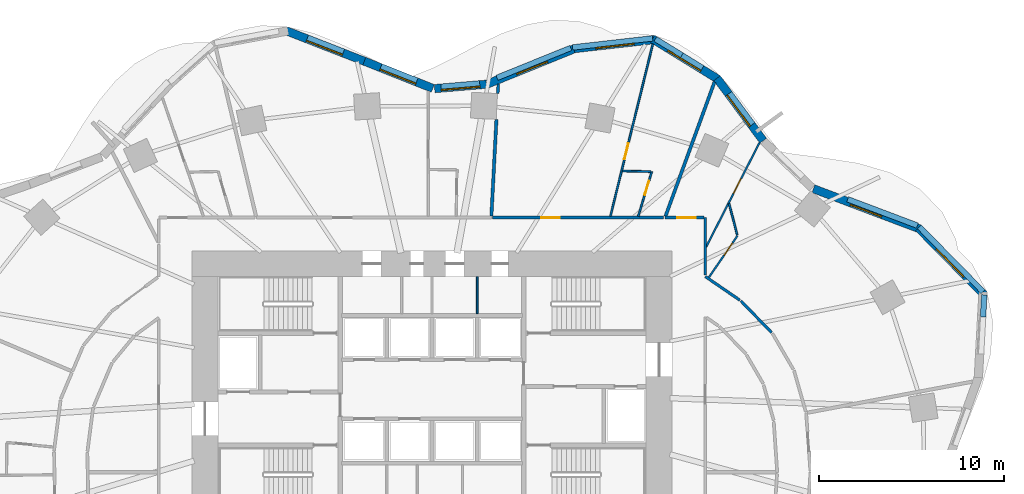
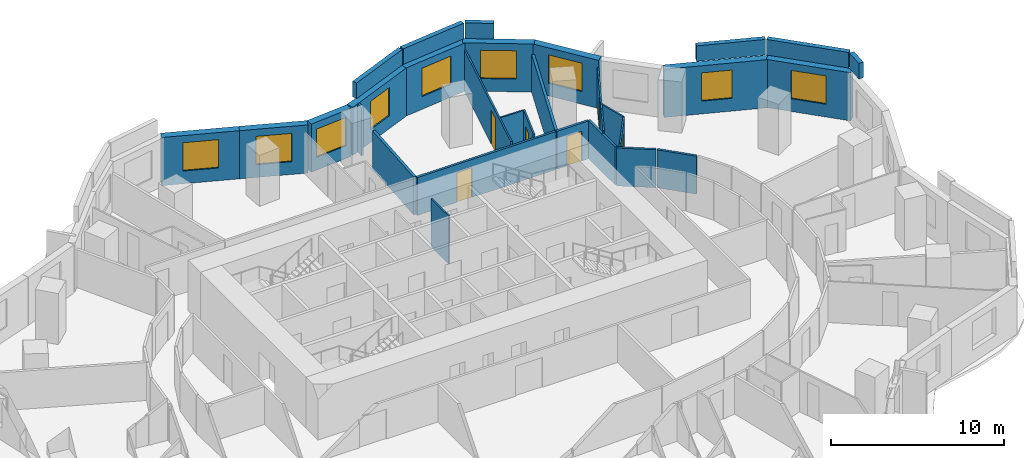
# One storey, part 9 of 11: 30 walls, 9 windows, 6 doors, 15 openings.
"""IFC4 building model written with IfcOpenShell, lengths in metres."""

from ifc_helpers import new_model, si_unit, direction, frame, frame_2d, origin, place, context, subcontext, project, spatial, rectangle, extrude, material, layer, layer_set, type_object, element, fill, save


model = new_model("IFC4")

# Units and contexts
model_context = context("Model", 3, precision=1e-05, world=origin(), true_north=direction((0.0, 1.0)))
body_context = subcontext(model_context, "Body", "Model", "MODEL_VIEW")
ifc_project = project(units=[si_unit("LENGTHUNIT", "METRE"), si_unit("AREAUNIT", "SQUARE_METRE"), si_unit("VOLUMEUNIT", "CUBIC_METRE"), si_unit("PLANEANGLEUNIT", "RADIAN"), si_unit("MASSUNIT", "GRAM", prefix="KILO")], contexts=[model_context])

# Site, building, storey
site_placement = place(None, origin())
site = spatial("IfcSite", under=ifc_project, at=site_placement, CompositionType="ELEMENT")
building_placement = place(site_placement, origin())
building = spatial("IfcBuilding", under=site, at=building_placement, Name="Rubra Terraces Tower", CompositionType="ELEMENT")
storey_placement = place(building_placement, frame((0.0, 0.0, 69.89990234375)))
storey = spatial("IfcBuildingStorey", under=building, at=storey_placement, Name="L15", CompositionType="ELEMENT", Elevation=69.89990234375)

# Walls
ifc_material_1 = material(Name="Twin plasterboard on staggered steel stud, acoustic mineral wool", Category="steel")
ifc_layer_1 = layer(ifc_material_1, 0.175048828125)
ifc_layer_set_1 = layer_set([ifc_layer_1], Name="Twin plasterboard on staggered steel stud, acoustic mineral wool")
wall_type_1 = type_object("IfcWallType", Name="ACOUSTIC PARTY WALL 175", PredefinedType="PARTITIONING", material=ifc_layer_set_1)
wall_1_placement = place(storey_placement, frame((3.486083984375, 19.10302734375, 0.0), z_axis=(0.0, 0.0, 1.0), x_axis=(-0.052091317725, -0.998642325669, 0.0)))
element("IfcWall", 1, at=wall_1_placement, inside=storey, type_object=wall_type_1, Name="PARTITION", PredefinedType="PARTITIONING", context=body_context, shape_type="SweptSolid", body=[
    extrude(rectangle(XDim=5.235107421875, YDim=0.175048828125, at=frame_2d((2.61767578125, 0.0))), origin(), (0.0, 0.0, 1.0), 2.68017578125),
])
wall_2_placement = place(storey_placement, frame((15.298583984375, 21.142822265625, 0.0), z_axis=(0.0, 0.0, 1.0), x_axis=(-0.343006226001, -0.939333129898, 0.0)))
element("IfcWall", 2, at=wall_2_placement, inside=storey, type_object=wall_type_1, Name="PARTITION", PredefinedType="PARTITIONING", context=body_context, shape_type="SweptSolid", body=[
    extrude(rectangle(XDim=7.741943359375, YDim=0.175048828125, at=frame_2d((3.87109375, 0.0))), origin(), (0.0, 0.0, 1.0), 2.68017578125),
])

# Wall, opening, window
ifc_material_2 = material(Name="Brick masonry red-brown", Category="masonry")
ifc_layer_2 = layer(ifc_material_2, 0.449951171875)
ifc_layer_set_2 = layer_set([ifc_layer_2], Name="Brick masonry red-brown")
wall_type_2 = type_object("IfcWallType", Name="Brick facade wall 450", PredefinedType="SOLIDWALL", material=ifc_layer_set_2)
wall_3_placement = place(storey_placement, frame((29.909423828125, 9.6123046875, 0.0), z_axis=(0.0, 0.0, 1.0), x_axis=(-0.700902433902, 0.713257161303, 0.0)))
wall_3 = element("IfcWall", 3, at=wall_3_placement, inside=storey, type_object=wall_type_2, Name="Facade wall L15 bay 3", PredefinedType="SOLIDWALL", context=body_context, shape_type="SweptSolid", body=[
    extrude(rectangle(XDim=5.07861328125, YDim=0.449951171875, at=frame_2d((2.539306640625, 0.0))), origin(), (0.0, 0.0, 1.0), 3.400146484375),
])
opening_1_placement = place(wall_3_placement, frame((1.4892578125, 0.0, 0.89990234375)))
opening_1 = element("IfcOpeningElement", 4, at=opening_1_placement, cuts=wall_3, Name="Opening W1", PredefinedType="OPENING", context=body_context, shape_type="SweptSolid", body=[
    extrude(rectangle(XDim=2.10009765625, YDim=2.0, at=frame_2d((1.050048828125, 1.0))), frame((0.0, 0.23486328125, 0.0), z_axis=(0.0, -1.0, 0.0), x_axis=(1.0, 0.0, 0.0)), (0.0, 0.0, 1.0), 0.469970703125),
])
ifc_material_3 = material(Name="Clear glass in aluminium frame", Category="aluminium")
window_type_1 = type_object("IfcWindowType", Name="Fixed deep-set window 2100 x 2000", PartitioningType="SINGLE_PANEL", PredefinedType="WINDOW", material=ifc_material_3)
window_1_placement = place(opening_1_placement, origin())
window_1 = element("IfcWindow", 5, at=window_1_placement, inside=storey, type_object=window_type_1, Name="Window L15 bay 3", OverallHeight=2.0, OverallWidth=2.10009765625, PartitioningType="SINGLE_PANEL", PredefinedType="WINDOW", context=body_context, shape_type="SweptSolid", body=[
    extrude(rectangle(XDim=2.10009765625, YDim=2.0, at=frame_2d((1.050048828125, 1.0))), frame((0.0, 0.135009765625, 0.0), z_axis=(0.0, -1.0, 0.0), x_axis=(1.0, 0.0, 0.0)), (0.0, 0.0, 1.0), 0.06005859375),
])
fill(opening_1, window_1)

wall_4_placement = place(storey_placement, frame((26.430908203125, 13.181884765625, 0.0), z_axis=(0.0, 0.0, 1.0), x_axis=(-0.935540074321, 0.35322056755, 0.0)))
wall_4 = element("IfcWall", 6, at=wall_4_placement, inside=storey, type_object=wall_type_2, Name="Facade wall L15 bay 4", PredefinedType="SOLIDWALL", context=body_context, shape_type="SweptSolid", body=[
    extrude(rectangle(XDim=6.17236328125, YDim=0.449951171875, at=frame_2d((3.086181640625, 0.0))), origin(), (0.0, 0.0, 1.0), 3.400146484375),
])
opening_2_placement = place(wall_4_placement, frame((2.18603515625, 0.0, 0.89990234375)))
opening_2 = element("IfcOpeningElement", 7, at=opening_2_placement, cuts=wall_4, Name="Opening W6", PredefinedType="OPENING", context=body_context, shape_type="SweptSolid", body=[
    extrude(rectangle(XDim=1.800048828125, YDim=2.0, at=frame_2d((0.89990234375, 1.0))), frame((0.0, 0.23486328125, 0.0), z_axis=(0.0, -1.0, 0.0), x_axis=(1.0, 0.0, 0.0)), (0.0, 0.0, 1.0), 0.469970703125),
])
window_type_2 = type_object("IfcWindowType", Name="Fixed deep-set window at wind fin 1800 x 2000", PartitioningType="SINGLE_PANEL", PredefinedType="WINDOW", material=ifc_material_3)
window_2_placement = place(opening_2_placement, origin())
window_2 = element("IfcWindow", 8, at=window_2_placement, inside=storey, type_object=window_type_2, Name="Window L15 bay 4", OverallHeight=2.0, OverallWidth=1.800048828125, PartitioningType="SINGLE_PANEL", PredefinedType="WINDOW", context=body_context, shape_type="SweptSolid", body=[
    extrude(rectangle(XDim=1.800048828125, YDim=2.0, at=frame_2d((0.89990234375, 1.0))), frame((0.0, 0.135009765625, 0.0), z_axis=(0.0, -1.0, 0.0), x_axis=(1.0, 0.0, 0.0)), (0.0, 0.0, 1.0), 0.06005859375),
])
fill(opening_2, window_2)

wall_5_placement = place(storey_placement, frame((17.933837890625, 17.964111328125, 0.0), z_axis=(0.0, 0.0, 1.0), x_axis=(-0.594544447368, 0.804062746372, 0.0)))
wall_5 = element("IfcWall", 9, at=wall_5_placement, inside=storey, type_object=wall_type_2, Name="Facade wall L15 bay 6", PredefinedType="SOLIDWALL", context=body_context, shape_type="SweptSolid", body=[
    extrude(rectangle(XDim=4.20654296875, YDim=0.449951171875, at=frame_2d((2.103271484375, 0.0))), origin(), (0.0, 0.0, 1.0), 3.400146484375),
])
opening_3_placement = place(wall_5_placement, frame((1.05322265625, 0.0, 0.89990234375)))
opening_3 = element("IfcOpeningElement", 10, at=opening_3_placement, cuts=wall_5, Name="Opening W1", PredefinedType="OPENING", context=body_context, shape_type="SweptSolid", body=[
    extrude(rectangle(XDim=2.10009765625, YDim=2.0, at=frame_2d((1.050048828125, 1.0))), frame((0.0, 0.23486328125, 0.0), z_axis=(0.0, -1.0, 0.0), x_axis=(1.0, 0.0, 0.0)), (0.0, 0.0, 1.0), 0.469970703125),
])
window_3_placement = place(opening_3_placement, origin())
window_3 = element("IfcWindow", 11, at=window_3_placement, inside=storey, type_object=window_type_1, Name="Window L15 bay 6", OverallHeight=2.0, OverallWidth=2.10009765625, PartitioningType="SINGLE_PANEL", PredefinedType="WINDOW", context=body_context, shape_type="SweptSolid", body=[
    extrude(rectangle(XDim=2.10009765625, YDim=2.0, at=frame_2d((1.050048828125, 1.0))), frame((0.0, 0.135009765625, 0.0), z_axis=(0.0, -1.0, 0.0), x_axis=(1.0, 0.0, 0.0)), (0.0, 0.0, 1.0), 0.06005859375),
])
fill(opening_3, window_3)

wall_6_placement = place(storey_placement, frame((15.491943359375, 21.29345703125, 0.0), z_axis=(0.0, 0.0, 1.0), x_axis=(-0.851428967753, 0.524469935145, 0.0)))
wall_6 = element("IfcWall", 12, at=wall_6_placement, inside=storey, type_object=wall_type_2, Name="Facade wall L15 bay 7", PredefinedType="SOLIDWALL", context=body_context, shape_type="SweptSolid", body=[
    extrude(rectangle(XDim=4.16796875, YDim=0.449951171875, at=frame_2d((2.083984375, 0.0))), origin(), (0.0, 0.0, 1.0), 3.400146484375),
])
opening_4_placement = place(wall_6_placement, frame((1.0341796875, 0.0, 0.89990234375)))
opening_4 = element("IfcOpeningElement", 13, at=opening_4_placement, cuts=wall_6, Name="Opening W1", PredefinedType="OPENING", context=body_context, shape_type="SweptSolid", body=[
    extrude(rectangle(XDim=2.10009765625, YDim=2.0, at=frame_2d((1.050048828125, 1.0))), frame((0.0, 0.23486328125, 0.0), z_axis=(0.0, -1.0, 0.0), x_axis=(1.0, 0.0, 0.0)), (0.0, 0.0, 1.0), 0.469970703125),
])
window_4_placement = place(opening_4_placement, origin())
window_4 = element("IfcWindow", 14, at=window_4_placement, inside=storey, type_object=window_type_1, Name="Window L15 bay 7", OverallHeight=2.0, OverallWidth=2.10009765625, PartitioningType="SINGLE_PANEL", PredefinedType="WINDOW", context=body_context, shape_type="SweptSolid", body=[
    extrude(rectangle(XDim=2.10009765625, YDim=2.0, at=frame_2d((1.050048828125, 1.0))), frame((0.0, 0.135009765625, 0.0), z_axis=(0.0, -1.0, 0.0), x_axis=(1.0, 0.0, 0.0)), (0.0, 0.0, 1.0), 0.06005859375),
])
fill(opening_4, window_4)

wall_7_placement = place(storey_placement, frame((12.08642578125, 23.447509765625, 0.0), z_axis=(0.0, 0.0, 1.0), x_axis=(-0.993615664665, -0.112818043472, 0.0)))
wall_7 = element("IfcWall", 15, at=wall_7_placement, inside=storey, type_object=wall_type_2, Name="Facade wall L15 bay 8", PredefinedType="SOLIDWALL", context=body_context, shape_type="SweptSolid", body=[
    extrude(rectangle(XDim=4.42333984375, YDim=0.449951171875, at=frame_2d((2.211669921875, 0.0))), origin(), (0.0, 0.0, 1.0), 3.400146484375),
])
opening_5_placement = place(wall_7_placement, frame((1.16162109375, 0.0, 0.89990234375)))
opening_5 = element("IfcOpeningElement", 16, at=opening_5_placement, cuts=wall_7, Name="Opening W1", PredefinedType="OPENING", context=body_context, shape_type="SweptSolid", body=[
    extrude(rectangle(XDim=2.10009765625, YDim=2.0, at=frame_2d((1.050048828125, 1.0))), frame((0.0, 0.23486328125, 0.0), z_axis=(0.0, -1.0, 0.0), x_axis=(1.0, 0.0, 0.0)), (0.0, 0.0, 1.0), 0.469970703125),
])
window_5_placement = place(opening_5_placement, origin())
window_5 = element("IfcWindow", 17, at=window_5_placement, inside=storey, type_object=window_type_1, Name="Window L15 bay 8", OverallHeight=2.0, OverallWidth=2.10009765625, PartitioningType="SINGLE_PANEL", PredefinedType="WINDOW", context=body_context, shape_type="SweptSolid", body=[
    extrude(rectangle(XDim=2.10009765625, YDim=2.0, at=frame_2d((1.050048828125, 1.0))), frame((0.0, 0.135009765625, 0.0), z_axis=(0.0, -1.0, 0.0), x_axis=(1.0, 0.0, 0.0)), (0.0, 0.0, 1.0), 0.06005859375),
])
fill(opening_5, window_5)

wall_8_placement = place(storey_placement, frame((7.75048828125, 22.963623046875, 0.0), z_axis=(0.0, 0.0, 1.0), x_axis=(-0.926629703254, -0.375975255897, 0.0)))
wall_8 = element("IfcWall", 18, at=wall_8_placement, inside=storey, type_object=wall_type_2, Name="Facade wall L15 bay 9", PredefinedType="SOLIDWALL", context=body_context, shape_type="SweptSolid", body=[
    extrude(rectangle(XDim=5.1181640625, YDim=0.449951171875, at=frame_2d((2.55908203125, 0.0))), origin(), (0.0, 0.0, 1.0), 3.400146484375),
])
opening_6_placement = place(wall_8_placement, frame((1.6591796875, 0.0, 0.89990234375)))
opening_6 = element("IfcOpeningElement", 19, at=opening_6_placement, cuts=wall_8, Name="Opening W6", PredefinedType="OPENING", context=body_context, shape_type="SweptSolid", body=[
    extrude(rectangle(XDim=1.800048828125, YDim=2.0, at=frame_2d((0.89990234375, 1.0))), frame((0.0, 0.23486328125, 0.0), z_axis=(0.0, -1.0, 0.0), x_axis=(1.0, 0.0, 0.0)), (0.0, 0.0, 1.0), 0.469970703125),
])
window_6_placement = place(opening_6_placement, origin())
window_6 = element("IfcWindow", 20, at=window_6_placement, inside=storey, type_object=window_type_2, Name="Window L15 bay 9", OverallHeight=2.0, OverallWidth=1.800048828125, PartitioningType="SINGLE_PANEL", PredefinedType="WINDOW", context=body_context, shape_type="SweptSolid", body=[
    extrude(rectangle(XDim=1.800048828125, YDim=2.0, at=frame_2d((0.89990234375, 1.0))), frame((0.0, 0.135009765625, 0.0), z_axis=(0.0, -1.0, 0.0), x_axis=(1.0, 0.0, 0.0)), (0.0, 0.0, 1.0), 0.06005859375),
])
fill(opening_6, window_6)

wall_9_placement = place(storey_placement, frame((2.942138671875, 21.023681640625, 0.0), z_axis=(0.0, 0.0, 1.0), x_axis=(-0.996362034459, -0.085221454389, 0.0)))
wall_9 = element("IfcWall", 21, at=wall_9_placement, inside=storey, type_object=wall_type_2, Name="Facade wall L15 bay 10", PredefinedType="SOLIDWALL", context=body_context, shape_type="SweptSolid", body=[
    extrude(rectangle(XDim=2.813232421875, YDim=0.449951171875, at=frame_2d((1.40673828125, 0.0))), origin(), (0.0, 0.0, 1.0), 3.400146484375),
])
opening_7_placement = place(wall_9_placement, frame((0.356689453125, 0.0, 0.89990234375)))
opening_7 = element("IfcOpeningElement", 22, at=opening_7_placement, cuts=wall_9, Name="Opening W1", PredefinedType="OPENING", context=body_context, shape_type="SweptSolid", body=[
    extrude(rectangle(XDim=2.10009765625, YDim=2.0, at=frame_2d((1.050048828125, 1.0))), frame((0.0, 0.23486328125, 0.0), z_axis=(0.0, -1.0, 0.0), x_axis=(1.0, 0.0, 0.0)), (0.0, 0.0, 1.0), 0.469970703125),
])
window_7_placement = place(opening_7_placement, origin())
window_7 = element("IfcWindow", 23, at=window_7_placement, inside=storey, type_object=window_type_1, Name="Window L15 bay 10", OverallHeight=2.0, OverallWidth=2.10009765625, PartitioningType="SINGLE_PANEL", PredefinedType="WINDOW", context=body_context, shape_type="SweptSolid", body=[
    extrude(rectangle(XDim=2.10009765625, YDim=2.0, at=frame_2d((1.050048828125, 1.0))), frame((0.0, 0.135009765625, 0.0), z_axis=(0.0, -1.0, 0.0), x_axis=(1.0, 0.0, 0.0)), (0.0, 0.0, 1.0), 0.06005859375),
])
fill(opening_7, window_7)

wall_10_placement = place(storey_placement, frame((0.04052734375, 20.797607421875, 0.0), z_axis=(0.0, 0.0, 1.0), x_axis=(-0.929539262027, 0.368723148649, 0.0)))
wall_10 = element("IfcWall", 24, at=wall_10_placement, inside=storey, type_object=wall_type_2, Name="Facade wall L15 bay 11", PredefinedType="SOLIDWALL", context=body_context, shape_type="SweptSolid", body=[
    extrude(rectangle(XDim=3.99462890625, YDim=0.449951171875, at=frame_2d((1.997314453125, 0.0))), origin(), (0.0, 0.0, 1.0), 3.400146484375),
])
opening_8_placement = place(wall_10_placement, frame((0.947265625, 0.0, 0.89990234375)))
opening_8 = element("IfcOpeningElement", 25, at=opening_8_placement, cuts=wall_10, Name="Opening W1", PredefinedType="OPENING", context=body_context, shape_type="SweptSolid", body=[
    extrude(rectangle(XDim=2.10009765625, YDim=2.0, at=frame_2d((1.050048828125, 1.0))), frame((0.0, 0.23486328125, 0.0), z_axis=(0.0, -1.0, 0.0), x_axis=(1.0, 0.0, 0.0)), (0.0, 0.0, 1.0), 0.469970703125),
])
window_8_placement = place(opening_8_placement, origin())
window_8 = element("IfcWindow", 26, at=window_8_placement, inside=storey, type_object=window_type_1, Name="Window L15 bay 11", OverallHeight=2.0, OverallWidth=2.10009765625, PartitioningType="SINGLE_PANEL", PredefinedType="WINDOW", context=body_context, shape_type="SweptSolid", body=[
    extrude(rectangle(XDim=2.10009765625, YDim=2.0, at=frame_2d((1.050048828125, 1.0))), frame((0.0, 0.135009765625, 0.0), z_axis=(0.0, -1.0, 0.0), x_axis=(1.0, 0.0, 0.0)), (0.0, 0.0, 1.0), 0.06005859375),
])
fill(opening_8, window_8)

wall_11_placement = place(storey_placement, frame((-3.671630859375, 22.27001953125, 0.0), z_axis=(0.0, 0.0, 1.0), x_axis=(-0.931791503167, 0.36299393194, 0.0)))
wall_11 = element("IfcWall", 27, at=wall_11_placement, inside=storey, type_object=wall_type_2, Name="Facade wall L15 bay 12", PredefinedType="SOLIDWALL", context=body_context, shape_type="SweptSolid", body=[
    extrude(rectangle(XDim=4.56005859375, YDim=0.449951171875, at=frame_2d((2.280029296875, 0.0))), origin(), (0.0, 0.0, 1.0), 3.400146484375),
])
opening_9_placement = place(wall_11_placement, frame((1.22998046875, 0.0, 0.89990234375)))
opening_9 = element("IfcOpeningElement", 28, at=opening_9_placement, cuts=wall_11, Name="Opening W1", PredefinedType="OPENING", context=body_context, shape_type="SweptSolid", body=[
    extrude(rectangle(XDim=2.10009765625, YDim=2.0, at=frame_2d((1.050048828125, 1.0))), frame((0.0, 0.23486328125, 0.0), z_axis=(0.0, -1.0, 0.0), x_axis=(1.0, 0.0, 0.0)), (0.0, 0.0, 1.0), 0.469970703125),
])
window_9_placement = place(opening_9_placement, origin())
window_9 = element("IfcWindow", 29, at=window_9_placement, inside=storey, type_object=window_type_1, Name="Window L15 bay 12", OverallHeight=2.0, OverallWidth=2.10009765625, PartitioningType="SINGLE_PANEL", PredefinedType="WINDOW", context=body_context, shape_type="SweptSolid", body=[
    extrude(rectangle(XDim=2.10009765625, YDim=2.0, at=frame_2d((1.050048828125, 1.0))), frame((0.0, 0.135009765625, 0.0), z_axis=(0.0, -1.0, 0.0), x_axis=(1.0, 0.0, 0.0)), (0.0, 0.0, 1.0), 0.06005859375),
])
fill(opening_9, window_9)

# Walls
ifc_layer_3 = layer(ifc_material_2, 0.300048828125)
ifc_layer_set_3 = layer_set([ifc_layer_3], Name="Brick masonry red-brown")
wall_type_3 = type_object("IfcWallType", Name="Brick parapet 300", PredefinedType="PARAPET", material=ifc_layer_set_3)
wall_12_placement = place(storey_placement, frame((29.845947265625, 8.422119140625, 3.60009765625), z_axis=(0.0, 0.0, 1.0), x_axis=(0.054723601839, 0.998501541011, 0.0)))
element("IfcWall", 30, at=wall_12_placement, inside=storey, type_object=wall_type_3, Name="Parapet L15 bay 2", PredefinedType="PARAPET", context=body_context, shape_type="SweptSolid", body=[
    extrude(rectangle(XDim=1.195556640625, YDim=0.300048828125, at=frame_2d((0.59765625, 0.0))), origin(), (0.0, 0.0, 1.0), 1.10009765625),
])
wall_13_placement = place(storey_placement, frame((29.84912109375, 9.78076171875, 3.60009765625), z_axis=(0.0, 0.0, 1.0), x_axis=(-0.700911537772, 0.713248215012, 0.0)))
element("IfcWall", 31, at=wall_13_placement, inside=storey, type_object=wall_type_3, Name="Parapet L15 bay 3", PredefinedType="PARAPET", context=body_context, shape_type="SweptSolid", body=[
    extrude(rectangle(XDim=4.927734375, YDim=0.300048828125, at=frame_2d((2.4638671875, 0.0))), origin(), (0.0, 0.0, 1.0), 1.10009765625),
])
wall_14_placement = place(storey_placement, frame((26.292236328125, 13.362548828125, 3.60009765625), z_axis=(0.0, 0.0, 1.0), x_axis=(-0.93551777481, 0.353279624397, 0.0)))
element("IfcWall", 32, at=wall_14_placement, inside=storey, type_object=wall_type_3, Name="Parapet L15 bay 4", PredefinedType="PARAPET", context=body_context, shape_type="SweptSolid", body=[
    extrude(rectangle(XDim=4.04345703125, YDim=0.300048828125, at=frame_2d((2.021728515625, 0.0))), origin(), (0.0, 0.0, 1.0), 1.10009765625),
])
wall_15_placement = place(storey_placement, frame((13.52978515625, 22.590087890625, 3.60009765625), z_axis=(0.0, 0.0, 1.0), x_axis=(-0.851434206084, 0.524461431098, 0.0)))
element("IfcWall", 33, at=wall_15_placement, inside=storey, type_object=wall_type_3, Name="Parapet L15 bay 7", PredefinedType="PARAPET", context=body_context, shape_type="SweptSolid", body=[
    extrude(rectangle(XDim=1.683837890625, YDim=0.300048828125, at=frame_2d((0.841796875, 0.0))), origin(), (0.0, 0.0, 1.0), 1.10009765625),
])
wall_16_placement = place(storey_placement, frame((11.9453125, 23.5068359375, 3.60009765625), z_axis=(0.0, 0.0, 1.0), x_axis=(-0.993618806168, -0.11279037206, 0.0)))
element("IfcWall", 34, at=wall_16_placement, inside=storey, type_object=wall_type_3, Name="Parapet L15 bay 8", PredefinedType="PARAPET", context=body_context, shape_type="SweptSolid", body=[
    extrude(rectangle(XDim=4.361572265625, YDim=0.300048828125, at=frame_2d((2.1806640625, 0.0))), origin(), (0.0, 0.0, 1.0), 1.10009765625),
])
wall_17_placement = place(storey_placement, frame((7.514404296875, 22.990234375, 3.60009765625), z_axis=(0.0, 0.0, 1.0), x_axis=(-0.926627413994, -0.375980897966, 0.0)))
element("IfcWall", 35, at=wall_17_placement, inside=storey, type_object=wall_type_3, Name="Parapet L15 bay 9", PredefinedType="PARAPET", context=body_context, shape_type="SweptSolid", body=[
    extrude(rectangle(XDim=4.31494140625, YDim=0.300048828125, at=frame_2d((2.157470703125, 0.0))), origin(), (0.0, 0.0, 1.0), 1.10009765625),
])
ifc_material_4 = material(Name="Plasterboard on steel stud, mineral wool infill", Category="steel")
ifc_layer_4 = layer(ifc_material_4, 0.14990234375)
ifc_layer_set_4 = layer_set([ifc_layer_4], Name="Plasterboard on steel stud, mineral wool infill")
wall_type_4 = type_object("IfcWallType", Name="CORRIDOR PARTITION 150", PredefinedType="PARTITIONING", material=ifc_layer_set_4)
wall_18_placement = place(storey_placement, frame((18.387939453125, 7.572998046875, 0.0), z_axis=(0.0, 0.0, 1.0), x_axis=(-0.695581958435, 0.718446754533, 0.0)))
element("IfcWall", 36, at=wall_18_placement, inside=storey, type_object=wall_type_4, Name="PARTITION", PredefinedType="PARTITIONING", context=body_context, shape_type="SweptSolid", body=[
    extrude(rectangle(XDim=2.381103515625, YDim=0.14990234375, at=frame_2d((1.1904296875, 0.0))), origin(), (0.0, 0.0, 1.0), 2.68017578125),
])
wall_19_placement = place(storey_placement, frame((16.669677734375, 9.325927734375, 0.0), z_axis=(0.0, 0.0, 1.0), x_axis=(-0.824839356451, 0.565367169236, 0.0)))
element("IfcWall", 37, at=wall_19_placement, inside=storey, type_object=wall_type_4, Name="PARTITION", PredefinedType="PARTITIONING", context=body_context, shape_type="SweptSolid", body=[
    extrude(rectangle(XDim=2.2666015625, YDim=0.14990234375, at=frame_2d((1.13330078125, 0.0))), origin(), (0.0, 0.0, 1.0), 2.68017578125),
])
wall_20_placement = place(storey_placement, frame((14.800048828125, 10.6826171875, 0.0), z_axis=(0.0, 0.0, 1.0), x_axis=(0.0, 1.0, 0.0)))
element("IfcWall", 38, at=wall_20_placement, inside=storey, type_object=wall_type_4, Name="PARTITION", PredefinedType="PARTITIONING", context=body_context, shape_type="SweptSolid", body=[
    extrude(rectangle(XDim=3.117431640625, YDim=0.14990234375, at=frame_2d((1.55859375, 0.0))), origin(), (0.0, 0.0, 1.0), 2.68017578125),
])

# Wall, opening, door
wall_21_placement = place(storey_placement, frame((14.72509765625, 13.800048828125, 0.0), z_axis=(0.0, 0.0, 1.0), x_axis=(-1.0, 0.0, 0.0)))
wall_21 = element("IfcWall", 39, at=wall_21_placement, inside=storey, type_object=wall_type_4, Name="PARTITION", PredefinedType="PARTITIONING", context=body_context, shape_type="SweptSolid", body=[
    extrude(rectangle(XDim=2.10791015625, YDim=0.14990234375, at=frame_2d((1.053955078125, 0.0))), origin(), (0.0, 0.0, 1.0), 2.68017578125),
])
opening_10_placement = place(wall_21_placement, frame((0.449951171875, 0.0, 0.0)))
opening_10 = element("IfcOpeningElement", 40, at=opening_10_placement, cuts=wall_21, Name="Opening 15-131", PredefinedType="OPENING", context=body_context, shape_type="SweptSolid", body=[
    extrude(rectangle(XDim=1.0, YDim=2.10009765625, at=frame_2d((0.5, 1.050048828125))), frame((0.0, 0.0849609375, 0.0), z_axis=(0.0, -1.0, 0.0), x_axis=(1.0, 0.0, 0.0)), (0.0, 0.0, 1.0), 0.169921875),
])
ifc_material_5 = material(Name="Painted timber door leaf", Category="wood")
door_type_1 = type_object("IfcDoorType", Name="ROOM DOOR 1000 X 2100", OperationType="SINGLE_SWING_LEFT", PredefinedType="DOOR", material=ifc_material_5)
door_1_placement = place(opening_10_placement, origin())
door_1 = element("IfcDoor", 41, at=door_1_placement, inside=storey, type_object=door_type_1, Name="DOOR 15-131", OperationType="SINGLE_SWING_RIGHT", OverallHeight=2.10009765625, OverallWidth=1.0, PredefinedType="DOOR", context=body_context, shape_type="SweptSolid", body=[
    extrude(rectangle(XDim=1.0, YDim=2.10009765625, at=frame_2d((0.5, 1.050048828125))), frame((0.0, 0.02490234375, 0.0), z_axis=(0.0, -1.0, 0.0), x_axis=(1.0, 0.0, 0.0)), (0.0, 0.0, 1.0), 0.050048828125),
])
fill(opening_10, door_1)

wall_22_placement = place(storey_placement, frame((12.542236328125, 13.800048828125, 0.0), z_axis=(0.0, 0.0, 1.0), x_axis=(-1.0, 0.0, 0.0)))
wall_22 = element("IfcWall", 42, at=wall_22_placement, inside=storey, type_object=wall_type_4, Name="PARTITION", PredefinedType="PARTITIONING", context=body_context, shape_type="SweptSolid", body=[
    extrude(rectangle(XDim=9.2578125, YDim=0.14990234375, at=frame_2d((4.62890625, 0.0))), origin(), (0.0, 0.0, 1.0), 2.68017578125),
])
opening_11_placement = place(wall_22_placement, frame((5.615966796875, 0.0, 0.0)))
opening_11 = element("IfcOpeningElement", 43, at=opening_11_placement, cuts=wall_22, Name="Opening 15-134", PredefinedType="OPENING", context=body_context, shape_type="SweptSolid", body=[
    extrude(rectangle(XDim=1.0, YDim=2.10009765625, at=frame_2d((0.5, 1.050048828125))), frame((0.0, 0.0849609375, 0.0), z_axis=(0.0, -1.0, 0.0), x_axis=(1.0, 0.0, 0.0)), (0.0, 0.0, 1.0), 0.169921875),
])
door_2_placement = place(opening_11_placement, origin())
door_2 = element("IfcDoor", 44, at=door_2_placement, inside=storey, type_object=door_type_1, Name="DOOR 15-134", OperationType="SINGLE_SWING_RIGHT", OverallHeight=2.10009765625, OverallWidth=1.0, PredefinedType="DOOR", context=body_context, shape_type="SweptSolid", body=[
    extrude(rectangle(XDim=1.0, YDim=2.10009765625, at=frame_2d((0.5, 1.050048828125))), frame((0.0, 0.02490234375, 0.0), z_axis=(0.0, -1.0, 0.0), x_axis=(1.0, 0.0, 0.0)), (0.0, 0.0, 1.0), 0.050048828125),
])
fill(opening_11, door_2)

ifc_material_6 = material(Name="Plasterboard on steel stud", Category="steel")
ifc_layer_5 = layer(ifc_material_6, 0.10009765625)
ifc_layer_set_5 = layer_set([ifc_layer_5], Name="Plasterboard on steel stud")
wall_type_5 = type_object("IfcWallType", Name="ROOM PARTITION 100", PredefinedType="PARTITIONING", material=ifc_layer_set_5)
wall_23_placement = place(storey_placement, frame((17.73583984375, 17.85400390625, 0.0), z_axis=(0.0, 0.0, 1.0), x_axis=(-0.455829924668, -0.890066896237, 0.0)))
wall_23 = element("IfcWall", 45, at=wall_23_placement, inside=storey, type_object=wall_type_5, Name="PARTITION", PredefinedType="PARTITIONING", context=body_context, shape_type="SweptSolid", body=[
    extrude(rectangle(XDim=6.365478515625, YDim=0.10009765625, at=frame_2d((3.1826171875, 0.0))), origin(), (0.0, 0.0, 1.0), 2.898193359375),
])
opening_12_placement = place(wall_23_placement, frame((2.18994140625, 0.0, 0.0)))
opening_12 = element("IfcOpeningElement", 46, at=opening_12_placement, cuts=wall_23, Name="Opening 15-130", PredefinedType="OPENING", context=body_context, shape_type="SweptSolid", body=[
    extrude(rectangle(XDim=0.89990234375, YDim=2.39990234375, at=frame_2d((0.449951171875, 1.199951171875))), frame((0.0, 0.06005859375, 0.0), z_axis=(0.0, -1.0, 0.0), x_axis=(1.0, 0.0, 0.0)), (0.0, 0.0, 1.0), 0.1201171875),
])
ifc_material_7 = material(Name="Veneered timber door leaf, fire-rated", Category="wood")
door_type_2 = type_object("IfcDoorType", Name="SUITE ENTRANCE DOOR 900 X 2400", OperationType="SINGLE_SWING_LEFT", PredefinedType="DOOR", material=ifc_material_7)
door_3_placement = place(opening_12_placement, origin())
door_3 = element("IfcDoor", 47, at=door_3_placement, inside=storey, type_object=door_type_2, Name="DOOR 15-130", OperationType="SINGLE_SWING_LEFT", OverallHeight=2.39990234375, OverallWidth=0.89990234375, PredefinedType="DOOR", context=body_context, shape_type="SweptSolid", body=[
    extrude(rectangle(XDim=0.89990234375, YDim=2.39990234375, at=frame_2d((0.449951171875, 1.199951171875))), frame((0.0, 0.02490234375, 0.0), z_axis=(0.0, -1.0, 0.0), x_axis=(1.0, 0.0, 0.0)), (0.0, 0.0, 1.0), 0.050048828125),
])
fill(opening_12, door_3)

wall_24_placement = place(storey_placement, frame((14.99609375, 10.564208984375, 0.0), z_axis=(0.0, 0.0, 1.0), x_axis=(0.566490799115, 0.824068064251, 0.0)))
wall_24 = element("IfcWall", 48, at=wall_24_placement, inside=storey, type_object=wall_type_5, Name="PARTITION", PredefinedType="PARTITIONING", context=body_context, shape_type="SweptSolid", body=[
    extrude(rectangle(XDim=2.72509765625, YDim=0.10009765625, at=frame_2d((1.362548828125, 0.0))), origin(), (0.0, 0.0, 1.0), 2.898193359375),
])
opening_13_placement = place(wall_24_placement, frame((1.449951171875, 0.0, 0.0)))
opening_13 = element("IfcOpeningElement", 49, at=opening_13_placement, cuts=wall_24, Name="Opening 15-129", PredefinedType="OPENING", context=body_context, shape_type="SweptSolid", body=[
    extrude(rectangle(XDim=0.800048828125, YDim=2.10009765625, at=frame_2d((0.39990234375, 1.050048828125))), frame((0.0, 0.06005859375, 0.0), z_axis=(0.0, -1.0, 0.0), x_axis=(1.0, 0.0, 0.0)), (0.0, 0.0, 1.0), 0.1201171875),
])
door_type_3 = type_object("IfcDoorType", Name="BATHROOM DOOR 800 X 2100", OperationType="SINGLE_SWING_LEFT", PredefinedType="DOOR", material=ifc_material_5)
door_4_placement = place(opening_13_placement, origin())
door_4 = element("IfcDoor", 50, at=door_4_placement, inside=storey, type_object=door_type_3, Name="DOOR 15-129", OperationType="SINGLE_SWING_LEFT", OverallHeight=2.10009765625, OverallWidth=0.800048828125, PredefinedType="DOOR", context=body_context, shape_type="SweptSolid", body=[
    extrude(rectangle(XDim=0.800048828125, YDim=2.10009765625, at=frame_2d((0.39990234375, 1.050048828125))), frame((0.0, 0.02490234375, 0.0), z_axis=(0.0, -1.0, 0.0), x_axis=(1.0, 0.0, 0.0)), (0.0, 0.0, 1.0), 0.050048828125),
])
fill(opening_13, door_4)

# Wall
wall_25_placement = place(storey_placement, frame((16.52734375, 12.858154296875, 0.0), z_axis=(0.0, 0.0, 1.0), x_axis=(-0.248788591503, 0.968557812801, 0.0)))
element("IfcWall", 51, at=wall_25_placement, inside=storey, type_object=wall_type_5, Name="PARTITION", PredefinedType="PARTITIONING", context=body_context, shape_type="SweptSolid", body=[
    extrude(rectangle(XDim=1.762451171875, YDim=0.10009765625, at=frame_2d((0.88134765625, 0.0))), origin(), (0.0, 0.0, 1.0), 2.898193359375),
])

# Wall, opening, door
wall_26_placement = place(storey_placement, frame((11.956298828125, 23.2021484375, 0.0), z_axis=(0.0, 0.0, 1.0), x_axis=(-0.238844688636, -0.971057781345, 0.0)))
wall_26 = element("IfcWall", 52, at=wall_26_placement, inside=storey, type_object=wall_type_5, Name="PARTITION", PredefinedType="PARTITIONING", context=body_context, shape_type="SweptSolid", body=[
    extrude(rectangle(XDim=9.607421875, YDim=0.10009765625, at=frame_2d((4.8037109375, 0.0))), origin(), (0.0, 0.0, 1.0), 2.898193359375),
])
opening_14_placement = place(wall_26_placement, frame((5.531982421875, 0.0, 0.0)))
opening_14 = element("IfcOpeningElement", 53, at=opening_14_placement, cuts=wall_26, Name="Opening 15-133", PredefinedType="OPENING", context=body_context, shape_type="SweptSolid", body=[
    extrude(rectangle(XDim=0.89990234375, YDim=2.39990234375, at=frame_2d((0.449951171875, 1.199951171875))), frame((0.0, 0.06005859375, 0.0), z_axis=(0.0, -1.0, 0.0), x_axis=(1.0, 0.0, 0.0)), (0.0, 0.0, 1.0), 0.1201171875),
])
door_5_placement = place(opening_14_placement, origin())
door_5 = element("IfcDoor", 54, at=door_5_placement, inside=storey, type_object=door_type_2, Name="DOOR 15-133", OperationType="SINGLE_SWING_LEFT", OverallHeight=2.39990234375, OverallWidth=0.89990234375, PredefinedType="DOOR", context=body_context, shape_type="SweptSolid", body=[
    extrude(rectangle(XDim=0.89990234375, YDim=2.39990234375, at=frame_2d((0.449951171875, 1.199951171875))), frame((0.0, 0.02490234375, 0.0), z_axis=(0.0, -1.0, 0.0), x_axis=(1.0, 0.0, 0.0)), (0.0, 0.0, 1.0), 0.050048828125),
])
fill(opening_14, door_5)

wall_27_placement = place(storey_placement, frame((11.16552734375, 13.87158203125, 0.0), z_axis=(0.0, 0.0, 1.0), x_axis=(0.291788653179, 0.95648281839, 0.0)))
wall_27 = element("IfcWall", 55, at=wall_27_placement, inside=storey, type_object=wall_type_5, Name="PARTITION", PredefinedType="PARTITIONING", context=body_context, shape_type="SweptSolid", body=[
    extrude(rectangle(XDim=2.525146484375, YDim=0.10009765625, at=frame_2d((1.2626953125, 0.0))), origin(), (0.0, 0.0, 1.0), 2.898193359375),
])
opening_15_placement = place(wall_27_placement, frame((1.199951171875, 0.0, 0.0)))
opening_15 = element("IfcOpeningElement", 56, at=opening_15_placement, cuts=wall_27, Name="Opening 15-132", PredefinedType="OPENING", context=body_context, shape_type="SweptSolid", body=[
    extrude(rectangle(XDim=0.800048828125, YDim=2.10009765625, at=frame_2d((0.39990234375, 1.050048828125))), frame((0.0, 0.06005859375, 0.0), z_axis=(0.0, -1.0, 0.0), x_axis=(1.0, 0.0, 0.0)), (0.0, 0.0, 1.0), 0.1201171875),
])
door_6_placement = place(opening_15_placement, origin())
door_6 = element("IfcDoor", 57, at=door_6_placement, inside=storey, type_object=door_type_3, Name="DOOR 15-132", OperationType="SINGLE_SWING_LEFT", OverallHeight=2.10009765625, OverallWidth=0.800048828125, PredefinedType="DOOR", context=body_context, shape_type="SweptSolid", body=[
    extrude(rectangle(XDim=0.800048828125, YDim=2.10009765625, at=frame_2d((0.39990234375, 1.050048828125))), frame((0.0, 0.02490234375, 0.0), z_axis=(0.0, -1.0, 0.0), x_axis=(1.0, 0.0, 0.0)), (0.0, 0.0, 1.0), 0.050048828125),
])
fill(opening_15, door_6)

# Walls
wall_28_placement = place(storey_placement, frame((11.852294921875, 16.2880859375, 0.0), z_axis=(0.0, 0.0, 1.0), x_axis=(-0.999735071864, 0.023017082474, 0.0)))
element("IfcWall", 58, at=wall_28_placement, inside=storey, type_object=wall_type_5, Name="PARTITION", PredefinedType="PARTITIONING", context=body_context, shape_type="SweptSolid", body=[
    extrude(rectangle(XDim=1.5380859375, YDim=0.10009765625, at=frame_2d((0.76904296875, 0.0))), origin(), (0.0, 0.0, 1.0), 2.898193359375),
])
ifc_layer_6 = layer(ifc_material_6, 0.14990234375)
ifc_layer_set_6 = layer_set([ifc_layer_6], Name="Plasterboard on steel stud")
wall_type_6 = type_object("IfcWallType", Name="ROOM PARTITION 150", PredefinedType="PARTITIONING", material=ifc_layer_set_6)
wall_29_placement = place(storey_placement, frame((3.58642578125, 21.027099609375, 0.0), z_axis=(0.0, 0.0, 1.0), x_axis=(-0.052094522049, -0.99864215852, 0.0)))
element("IfcWall", 59, at=wall_29_placement, inside=storey, type_object=wall_type_6, Name="PARTITION", PredefinedType="PARTITIONING", context=body_context, shape_type="SweptSolid", body=[
    extrude(rectangle(XDim=0.496826171875, YDim=0.14990234375, at=frame_2d((0.24853515625, 0.0))), origin(), (0.0, 0.0, 1.0), 3.400146484375),
])
ifc_material_8 = material(Name="Blockwork", Category="masonry")
ifc_layer_7 = layer(ifc_material_8, 0.10009765625)
ifc_layer_set_7 = layer_set([ifc_layer_7], Name="Blockwork")
wall_type_7 = type_object("IfcWallType", Name="Service partition 100 blockwork", PredefinedType="PARTITIONING", material=ifc_layer_set_7)
wall_30_placement = place(storey_placement, frame((2.449951171875, 8.60009765625, 0.0), z_axis=(0.0, 0.0, 1.0), x_axis=(0.0, 1.0, 0.0)))
element("IfcWall", 60, at=wall_30_placement, inside=storey, type_object=wall_type_7, Name="SERVICE ROOM PARTITION L15", PredefinedType="PARTITIONING", context=body_context, shape_type="SweptSolid", body=[
    extrude(rectangle(XDim=2.0, YDim=0.10009765625, at=frame_2d((1.0, 0.0))), origin(), (0.0, 0.0, 1.0), 3.400146484375),
])

save(model, "model.ifc")
